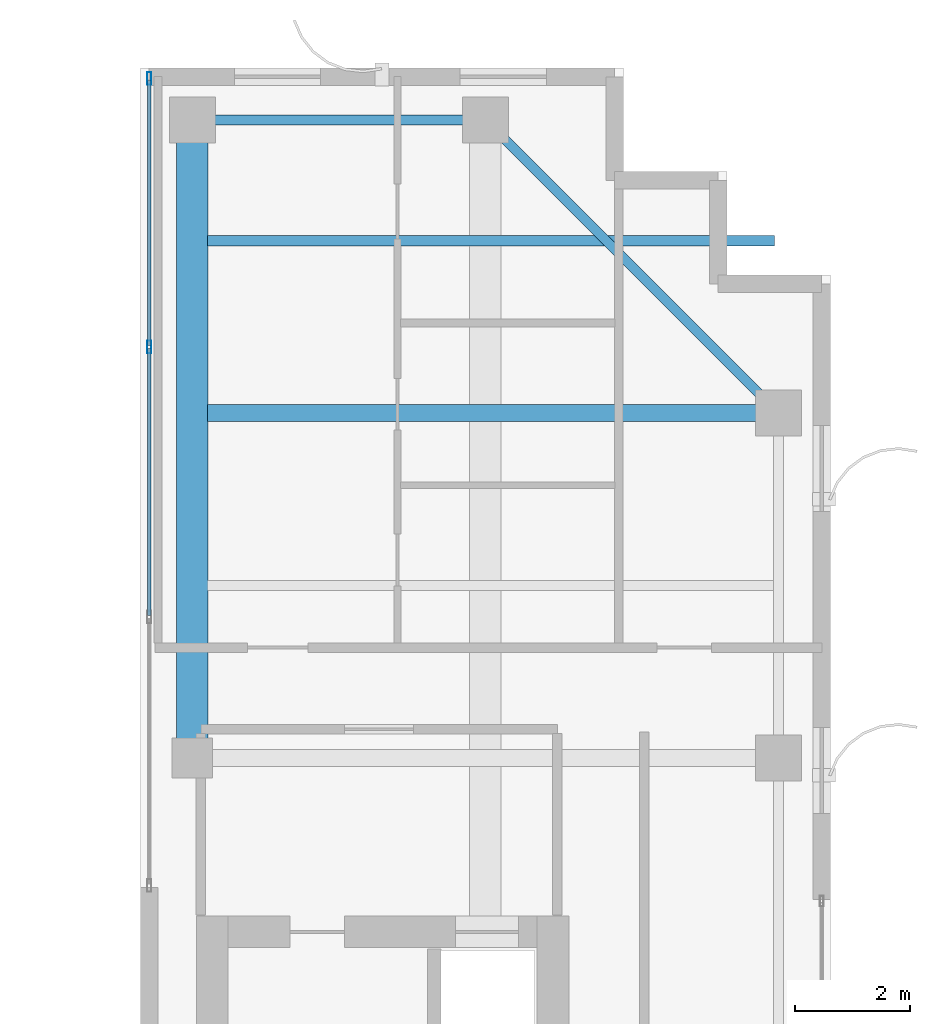
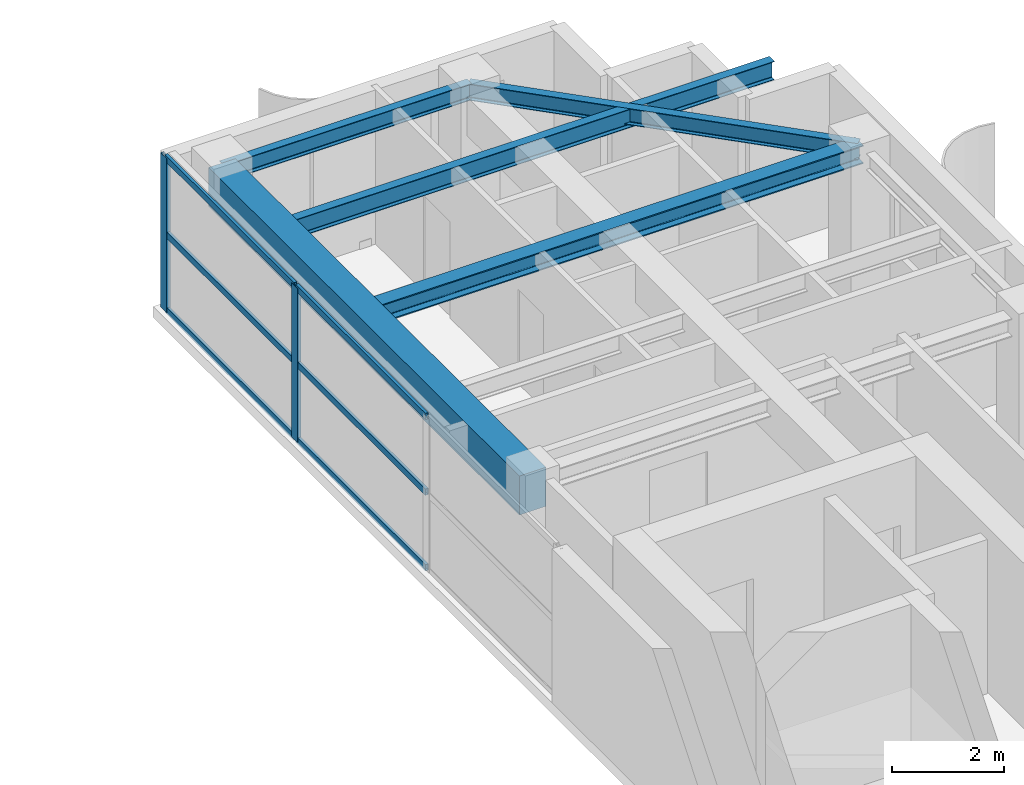
# One storey, part 16 of 24: 8 members, 5 beams, 1 element without a shape of its own.
"""IFC4 building model written with IfcOpenShell, lengths in metres."""

from ifc_helpers import new_model, si_unit, direction, frame, origin, origin_2d, place, context, subcontext, project, spatial, rectangle, hollow_rectangle, i_section, extrude, source, transform, mapped, material, layer, layer_set, material_profile, profile_set, type_object, element, aggregate, save


model = new_model("IFC4")

# Units and contexts
model_context = context("Model", 3, precision=1e-05, world=origin(), true_north=direction((0.0, 1.0)))
body_context = subcontext(model_context, "Body", "Model", "MODEL_VIEW")
ifc_project = project(units=[si_unit("LENGTHUNIT", "METRE"), si_unit("AREAUNIT", "SQUARE_METRE"), si_unit("VOLUMEUNIT", "CUBIC_METRE"), si_unit("PLANEANGLEUNIT", "RADIAN"), si_unit("MASSUNIT", "GRAM", prefix="KILO")], contexts=[model_context])

# Site, building, storey
site_placement = place(None, origin())
site = spatial("IfcSite", under=ifc_project, at=site_placement, CompositionType="ELEMENT")
building_placement = place(site_placement, origin())
building = spatial("IfcBuilding", under=site, at=building_placement, Name="Khoralis Quay Care Tower", CompositionType="ELEMENT")
storey_placement = place(building_placement, frame((0.0, 0.0, 249.300048828125)))
storey = spatial("IfcBuildingStorey", under=building, at=storey_placement, Name="L65", CompositionType="ELEMENT", Elevation=249.300048828125)

# Beams
ifc_material_1 = material(Name="Steel S355", Category="steel")
ifc_material_profile_1 = material_profile(ifc_material_1, i_section(OverallWidth=0.169921875, OverallDepth=0.360107421875, WebThickness=0.008056640625, FlangeThickness=0.0126953125, FilletRadius=0.01806640625, at=origin_2d()), Name="Steel S355")
ifc_profile_set_1 = profile_set([ifc_material_profile_1], Name="Steel S355")
beam_type_1 = type_object("IfcBeamType", Name="BM-IPE360", PredefinedType="SPANDREL", material=ifc_profile_set_1)
shared_shape_1 = source(origin(), body_context, "Body", "SweptSolid", [
    extrude(i_section(OverallWidth=0.169921875, OverallDepth=0.360107421875, WebThickness=0.008056640625, FlangeThickness=0.0126953125, FilletRadius=0.01806640625, at=origin_2d()), origin(), (0.0, 0.0, 1.0), 5.10009765625),
])
beam_1_placement = place(storey_placement, frame((30.89990234375, 41.10009765625, 3.179931640625), z_axis=(1.0, 0.0, 0.0), x_axis=(0.0, 1.0, 0.0)))
element("IfcBeam", 1, at=beam_1_placement, inside=storey, type_object=beam_type_1, Name="BM-TSP-L65-04", PredefinedType="SPANDREL", context=body_context, shape_type="MappedRepresentation", body=[
    mapped(shared_shape_1, transform((0.0, 0.0, 0.0), scale=1.0)),
])
shared_shape_2 = source(origin(), body_context, "Body", "SweptSolid", [
    extrude(i_section(OverallWidth=0.169921875, OverallDepth=0.360107421875, WebThickness=0.008056640625, FlangeThickness=0.0126953125, FilletRadius=0.01806640625, at=origin_2d()), origin(), (0.0, 0.0, 1.0), 7.212646484375),
])
beam_2_placement = place(storey_placement, frame((36.0, 41.10009765625, 3.179931640625), z_axis=(0.707106781187, -0.707106781187, 0.0), x_axis=(0.707106781187, 0.707106781187, 0.0)))
element("IfcBeam", 2, at=beam_2_placement, inside=storey, type_object=beam_type_1, Name="BM-TCR-L65-16", PredefinedType="SPANDREL", context=body_context, shape_type="MappedRepresentation", body=[
    mapped(shared_shape_2, transform((0.0, 0.0, 0.0), scale=1.0)),
])
ifc_material_profile_2 = material_profile(ifc_material_1, i_section(OverallWidth=0.300048828125, OverallDepth=0.39990234375, WebThickness=0.013427734375, FlangeThickness=0.02392578125, FilletRadius=0.027099609375, at=origin_2d()), Name="Steel S355")
ifc_profile_set_2 = profile_set([ifc_material_profile_2], Name="Steel S355")
beam_type_2 = type_object("IfcBeamType", Name="BM-HEB400", PredefinedType="BEAM", material=ifc_profile_set_2)
shared_shape_3 = source(origin(), body_context, "Body", "SweptSolid", [
    extrude(i_section(OverallWidth=0.300048828125, OverallDepth=0.39990234375, WebThickness=0.013427734375, FlangeThickness=0.02392578125, FilletRadius=0.027099609375, at=origin_2d()), origin(), (0.0, 0.0, 1.0), 9.93701171875),
])
beam_3_placement = place(storey_placement, frame((31.1630859375, 36.0, 3.159912109375), z_axis=(1.0, 0.0, 0.0), x_axis=(0.0, 1.0, 0.0)))
element("IfcBeam", 3, at=beam_3_placement, inside=storey, type_object=beam_type_2, Name="BM-TGXE-L65-360", PredefinedType="BEAM", context=body_context, shape_type="MappedRepresentation", body=[
    mapped(shared_shape_3, transform((0.0, 0.0, 0.0), scale=1.0)),
])
ifc_material_2 = material(Name="Concrete C50/60", Category="concrete")
ifc_material_profile_3 = material_profile(ifc_material_2, rectangle(XDim=0.550048828125, YDim=0.85009765625, at=origin_2d()), Name="Concrete C50/60")
ifc_profile_set_3 = profile_set([ifc_material_profile_3], Name="Concrete C50/60")
beam_type_3 = type_object("IfcBeamType", Name="BM-RC550X850", PredefinedType="BEAM", material=ifc_profile_set_3)
shared_shape_4 = source(origin(), body_context, "Body", "SweptSolid", [
    extrude(rectangle(XDim=0.550048828125, YDim=0.85009765625, at=origin_2d()), origin(), (0.0, 0.0, 1.0), 11.10009765625),
])
beam_4_placement = place(storey_placement, frame((30.89990234375, 30.0, 2.93505859375), z_axis=(0.0, 1.0, 0.0), x_axis=(-1.0, 0.0, 0.0)))
element("IfcBeam", 4, at=beam_4_placement, inside=storey, type_object=beam_type_3, Name="BM-TGYN-L65-309", PredefinedType="BEAM", context=body_context, shape_type="MappedRepresentation", body=[
    mapped(shared_shape_4, transform((0.0, 0.0, 0.0), scale=1.0)),
])
ifc_material_profile_4 = material_profile(ifc_material_1, i_section(OverallWidth=0.177978515625, OverallDepth=0.406982421875, WebThickness=0.0078125, FlangeThickness=0.0126953125, FilletRadius=0.012939453125, at=origin_2d()), Name="Steel S355")
ifc_profile_set_4 = profile_set([ifc_material_profile_4], Name="Steel S355")
beam_type_4 = type_object("IfcBeamType", Name="BM-W410X60", PredefinedType="JOIST", material=ifc_profile_set_4)
shared_shape_5 = source(origin(), body_context, "Body", "SweptSolid", [
    extrude(i_section(OverallWidth=0.177978515625, OverallDepth=0.406982421875, WebThickness=0.0078125, FlangeThickness=0.0126953125, FilletRadius=0.012939453125, at=origin_2d()), origin(), (0.0, 0.0, 1.0), 9.865966796875),
])
beam_5_placement = place(storey_placement, frame((31.1630859375, 39.0, 3.156494140625), z_axis=(1.0, 0.0, 0.0), x_axis=(0.0, 1.0, 0.0)))
element("IfcBeam", 5, at=beam_5_placement, inside=storey, type_object=beam_type_4, Name="BM-TJS-L65-22", PredefinedType="JOIST", context=body_context, shape_type="MappedRepresentation", body=[
    mapped(shared_shape_5, transform((0.0, 0.0, 0.0), scale=1.0)),
])

# Curtain wall, members
ifc_material_3 = material(Name="Pale anodised aluminium", Category="aluminium")
ifc_layer = layer(ifc_material_3, 0.18994140625)
ifc_layer_set = layer_set([ifc_layer], Name="Pale anodised aluminium")
curtain_wall_type = type_object("IfcCurtainWallType", Name="CW-SYS-PORTAL", PredefinedType="NOTDEFINED", material=ifc_layer_set)
curtain_wall_placement = place(storey_placement, origin())
curtain_wall = element("IfcCurtainWall", 6, at=curtain_wall_placement, inside=storey, type_object=curtain_wall_type, Name="L65 Unitised Curtain Wall CW-VP-L65-P2-N", PredefinedType="NOTDEFINED")
ifc_material_profile_5 = material_profile(ifc_material_3, hollow_rectangle(XDim=0.06005859375, YDim=0.139892578125, WallThickness=0.00390625, at=origin_2d()), Name="Pale anodised aluminium")
ifc_profile_set_5 = profile_set([ifc_material_profile_5], Name="Pale anodised aluminium")
member_type_1 = type_object("IfcMemberType", Name="CW-TRN-140", PredefinedType="USERDEFINED", material=ifc_profile_set_5)
shared_shape_6 = source(origin(), body_context, "Body", "SweptSolid", [
    extrude(hollow_rectangle(XDim=0.06005859375, YDim=0.139892578125, WallThickness=0.00390625, at=origin_2d()), origin(), (0.0, 0.0, 1.0), 4.610107421875),
])
member_1_placement = place(storey_placement, frame((30.14990234375, 37.179931640625, 0.030029296875), z_axis=(0.0, 1.0, 0.0), x_axis=(-1.0, 0.0, 0.0)))
member_1 = element("IfcMember", 7, at=member_1_placement, type_object=member_type_1, Name="CW4 transom 3.1", ObjectType="TRANSOM", PredefinedType="USERDEFINED", context=body_context, shape_type="MappedRepresentation", body=[
    mapped(shared_shape_6, transform((0.0, 0.0, 0.0), scale=1.0)),
])
member_2_placement = place(storey_placement, frame((30.14990234375, 37.179931640625, 1.679931640625), z_axis=(0.0, 1.0, 0.0), x_axis=(-1.0, 0.0, 0.0)))
member_2 = element("IfcMember", 8, at=member_2_placement, type_object=member_type_1, Name="CW4 transom 3.2", ObjectType="TRANSOM", PredefinedType="USERDEFINED", context=body_context, shape_type="MappedRepresentation", body=[
    mapped(shared_shape_6, transform((0.0, 0.0, 0.0), scale=1.0)),
])
member_3_placement = place(storey_placement, frame((30.14990234375, 37.179931640625, 3.329833984375), z_axis=(0.0, 1.0, 0.0), x_axis=(-1.0, 0.0, 0.0)))
member_3 = element("IfcMember", 9, at=member_3_placement, type_object=member_type_1, Name="CW4 transom 3.3", ObjectType="TRANSOM", PredefinedType="USERDEFINED", context=body_context, shape_type="MappedRepresentation", body=[
    mapped(shared_shape_6, transform((0.0, 0.0, 0.0), scale=1.0)),
])
shared_shape_7 = source(origin(), body_context, "Body", "SweptSolid", [
    extrude(hollow_rectangle(XDim=0.06005859375, YDim=0.139892578125, WallThickness=0.00390625, at=origin_2d()), origin(), (0.0, 0.0, 1.0), 4.64013671875),
])
member_4_placement = place(storey_placement, frame((30.14990234375, 32.47998046875, 0.030029296875), z_axis=(0.0, 1.0, 0.0), x_axis=(-1.0, 0.0, 0.0)))
member_4 = element("IfcMember", 10, at=member_4_placement, type_object=member_type_1, Name="CW4 transom 2.1", ObjectType="TRANSOM", PredefinedType="USERDEFINED", context=body_context, shape_type="MappedRepresentation", body=[
    mapped(shared_shape_7, transform((0.0, 0.0, 0.0), scale=1.0)),
])
member_5_placement = place(storey_placement, frame((30.14990234375, 32.47998046875, 1.679931640625), z_axis=(0.0, 1.0, 0.0), x_axis=(-1.0, 0.0, 0.0)))
member_5 = element("IfcMember", 11, at=member_5_placement, type_object=member_type_1, Name="CW4 transom 2.2", ObjectType="TRANSOM", PredefinedType="USERDEFINED", context=body_context, shape_type="MappedRepresentation", body=[
    mapped(shared_shape_7, transform((0.0, 0.0, 0.0), scale=1.0)),
])
member_6_placement = place(storey_placement, frame((30.14990234375, 32.47998046875, 3.329833984375), z_axis=(0.0, 1.0, 0.0), x_axis=(-1.0, 0.0, 0.0)))
member_6 = element("IfcMember", 12, at=member_6_placement, type_object=member_type_1, Name="CW4 transom 2.3", ObjectType="TRANSOM", PredefinedType="USERDEFINED", context=body_context, shape_type="MappedRepresentation", body=[
    mapped(shared_shape_7, transform((0.0, 0.0, 0.0), scale=1.0)),
])
ifc_material_profile_6 = material_profile(ifc_material_3, hollow_rectangle(XDim=0.074951171875, YDim=0.219970703125, WallThickness=0.00390625, at=origin_2d()), Name="Pale anodised aluminium")
ifc_profile_set_6 = profile_set([ifc_material_profile_6], Name="Pale anodised aluminium")
member_type_2 = type_object("IfcMemberType", Name="CW-MUL-220", PredefinedType="MULLION", material=ifc_profile_set_6)
shared_shape_8 = source(origin(), body_context, "Body", "SweptSolid", [
    extrude(hollow_rectangle(XDim=0.074951171875, YDim=0.219970703125, WallThickness=0.00390625, at=origin_2d()), origin(), (0.0, 0.0, 1.0), 3.35986328125),
])
member_7_placement = place(storey_placement, frame((30.14990234375, 37.14990234375, 0.0), z_axis=(0.0, 0.0, 1.0), x_axis=(-1.0, 0.0, 0.0)))
member_7 = element("IfcMember", 13, at=member_7_placement, type_object=member_type_2, Name="CW4 mullion 3", PredefinedType="MULLION", context=body_context, shape_type="MappedRepresentation", body=[
    mapped(shared_shape_8, transform((0.0, 0.0, 0.0), scale=1.0)),
])
member_8_placement = place(storey_placement, frame((30.14990234375, 41.820068359375, 0.0), z_axis=(0.0, 0.0, 1.0), x_axis=(-1.0, 0.0, 0.0)))
member_8 = element("IfcMember", 14, at=member_8_placement, type_object=member_type_2, Name="CW4 mullion 4", PredefinedType="MULLION", context=body_context, shape_type="MappedRepresentation", body=[
    mapped(shared_shape_8, transform((0.0, 0.0, 0.0), scale=1.0)),
])
aggregate(curtain_wall, [member_7, member_8, member_4, member_5, member_6, member_1, member_2, member_3])

save(model, "model.ifc")
